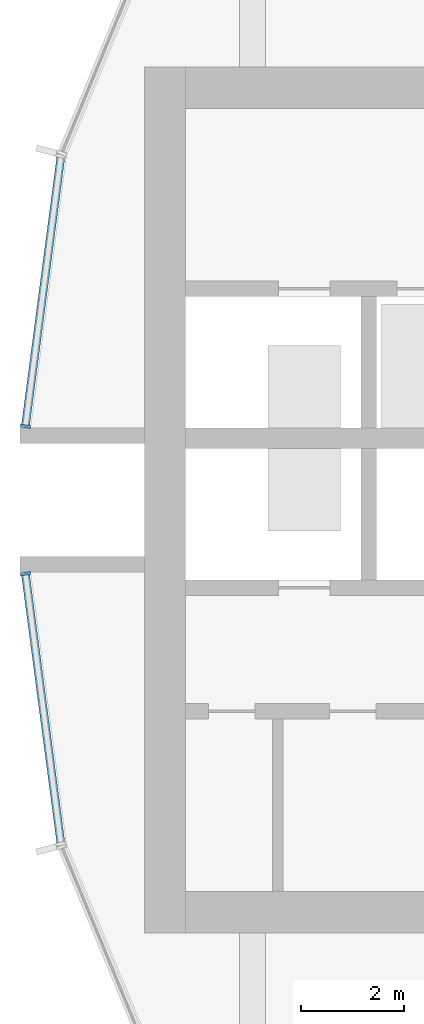
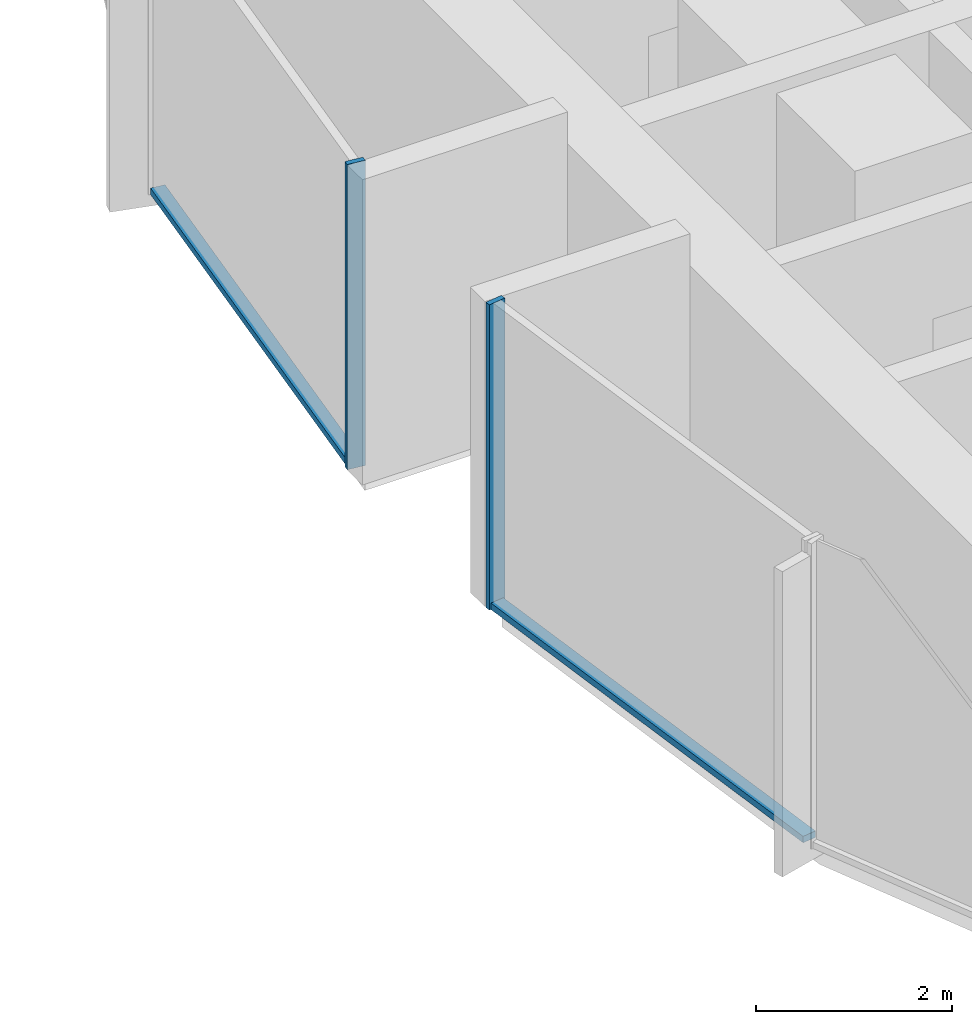
# One storey, part 3 of 15: 4 members, 2 elements without a shape of their own.
"""IFC4 building model written with IfcOpenShell, lengths in metres."""

from ifc_helpers import new_model, si_unit, direction, frame, origin, origin_2d, place, context, subcontext, project, spatial, rectangle, extrude, material, layer, layer_set, material_profile, profile_set, type_object, element, aggregate, save


model = new_model("IFC4")

# Units and contexts
model_context = context("Model", 3, precision=1e-05, world=origin(), true_north=direction((0.0, 1.0)))
body_context = subcontext(model_context, "Body", "Model", "MODEL_VIEW")
ifc_project = project(units=[si_unit("LENGTHUNIT", "METRE"), si_unit("AREAUNIT", "SQUARE_METRE"), si_unit("VOLUMEUNIT", "CUBIC_METRE"), si_unit("PLANEANGLEUNIT", "RADIAN"), si_unit("MASSUNIT", "GRAM", prefix="KILO")], contexts=[model_context])

# Site, building, storey
site_placement = place(None, origin())
site = spatial("IfcSite", under=ifc_project, at=site_placement, CompositionType="ELEMENT")
building_placement = place(site_placement, origin())
building = spatial("IfcBuilding", under=site, at=building_placement, Name="Torre Brocal", CompositionType="ELEMENT")
storey_placement = place(building_placement, frame((0.0, 0.0, 70.60009765625)))
storey = spatial("IfcBuildingStorey", under=building, at=storey_placement, Name="L16", CompositionType="ELEMENT", Elevation=70.60009765625)

# Curtain wall, member
ifc_material_1 = material(Name="Aluminium and glass", Category="aluminium")
ifc_layer = layer(ifc_material_1, 0.199951171875)
ifc_layer_set = layer_set([ifc_layer], Name="Aluminium and glass")
curtain_wall_type = type_object("IfcCurtainWallType", Name="CW-1B CURTAIN WALL 3800 HIGH", PredefinedType="NOTDEFINED", material=ifc_layer_set)
curtain_wall_1_placement = place(storey_placement, origin())
curtain_wall_1 = element("IfcCurtainWall", 1, at=curtain_wall_1_placement, inside=storey, type_object=curtain_wall_type, Name="CW-1B RUN 12", PredefinedType="NOTDEFINED")
ifc_material_2 = material(Name="Aluminium, dark anodised", Category="aluminium")
ifc_material_profile_1 = material_profile(ifc_material_2, rectangle(XDim=0.199951171875, YDim=0.06005859375, at=origin_2d()), Name="CW-1B MULLION 60X200")
ifc_profile_set_1 = profile_set([ifc_material_profile_1], Name="Aluminium, dark anodised")
member_type_1 = type_object("IfcMemberType", Name="CW-1B MULLION 60X200", PredefinedType="MULLION", material=ifc_profile_set_1)
member_1_placement = place(storey_placement, frame((54.2890625, 76.4296875, 0.0), z_axis=(0.0, 0.0, 1.0), x_axis=(0.991444861374, -0.13052619222, 0.0)))
member_1 = element("IfcMember", 2, at=member_1_placement, type_object=member_type_1, Name="CW1B-1 mullion 2", PredefinedType="MULLION", context=body_context, shape_type="SweptSolid", body=[
    extrude(rectangle(XDim=0.199951171875, YDim=0.06005859375, at=origin_2d()), origin(), (0.0, 0.0, 1.0), 3.7998046875),
])

curtain_wall_2_placement = place(storey_placement, origin())
curtain_wall_2 = element("IfcCurtainWall", 3, at=curtain_wall_2_placement, inside=storey, type_object=curtain_wall_type, Name="CW-1B RUN 13", PredefinedType="NOTDEFINED")
member_2_placement = place(storey_placement, frame((54.2890625, 73.5703125, 0.0), z_axis=(0.0, 0.0, 1.0), x_axis=(0.991444861374, 0.13052619222, 0.0)))
member_2 = element("IfcMember", 4, at=member_2_placement, type_object=member_type_1, Name="CW1B-1 mullion 1", PredefinedType="MULLION", context=body_context, shape_type="SweptSolid", body=[
    extrude(rectangle(XDim=0.199951171875, YDim=0.06005859375, at=origin_2d()), origin(), (0.0, 0.0, 1.0), 3.7998046875),
])

# Member
ifc_material_3 = material(Name="Aluminium, dark anodised", Category="aluminium")
ifc_material_profile_2 = material_profile(ifc_material_3, rectangle(XDim=0.159912109375, YDim=0.080078125, at=origin_2d()), Name="CW-1B TRANSOM 160X80")
ifc_profile_set_2 = profile_set([ifc_material_profile_2], Name="Aluminium, dark anodised")
member_type_2 = type_object("IfcMemberType", Name="CW-1B TRANSOM 160X80", PredefinedType="USERDEFINED", material=ifc_profile_set_2)
member_3_placement = place(storey_placement, frame((54.9755859375, 81.643798828125, 0.039794921875), z_axis=(-0.130542677827, -0.991442690863, 0.0), x_axis=(0.991442690863, -0.130542677827, 0.0)))
member_3 = element("IfcMember", 5, at=member_3_placement, type_object=member_type_2, Name="CW1B-1 transom 1.1", ObjectType="TRANSOM", PredefinedType="USERDEFINED", context=body_context, shape_type="SweptSolid", body=[
    extrude(rectangle(XDim=0.159912109375, YDim=0.080078125, at=origin_2d()), origin(), (0.0, 0.0, 1.0), 5.22900390625),
])

aggregate(curtain_wall_1, [member_1, member_3])

member_4_placement = place(storey_placement, frame((54.29296875, 73.54052734375, 0.039794921875), z_axis=(0.130542677827, -0.991442690863, 0.0), x_axis=(0.991442690863, 0.130542677827, 0.0)))
member_4 = element("IfcMember", 6, at=member_4_placement, type_object=member_type_2, Name="CW1B-1 transom 1.1", ObjectType="TRANSOM", PredefinedType="USERDEFINED", context=body_context, shape_type="SweptSolid", body=[
    extrude(rectangle(XDim=0.159912109375, YDim=0.080078125, at=origin_2d()), origin(), (0.0, 0.0, 1.0), 5.22900390625),
])

aggregate(curtain_wall_2, [member_2, member_4])

save(model, "model.ifc")
